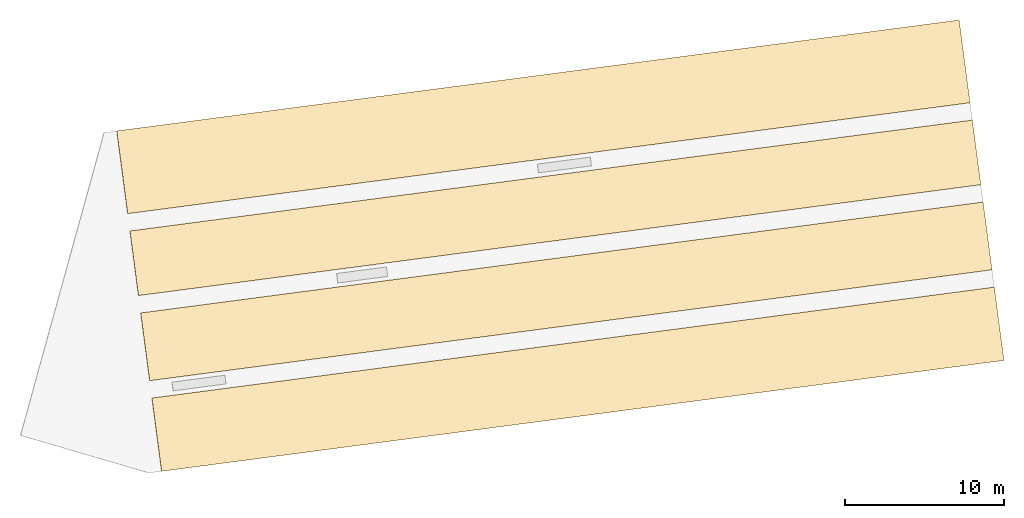
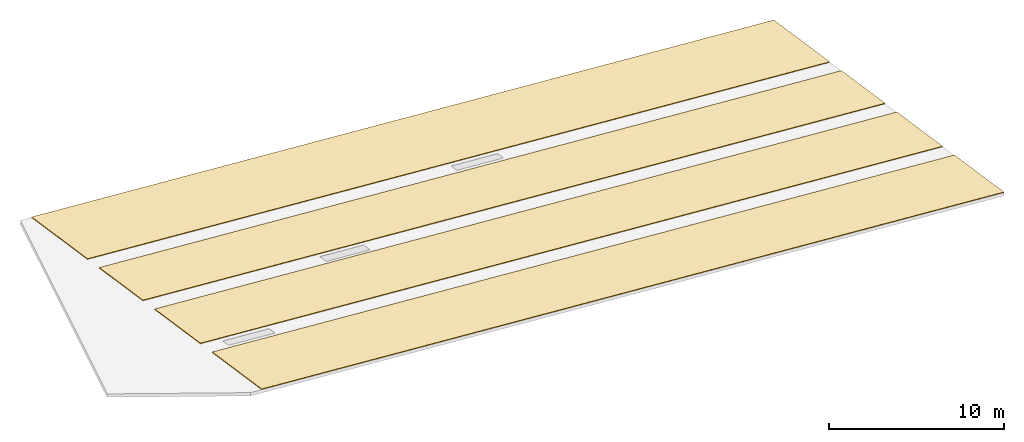
# One storey, part 2 of 2: 4 coverings.
"""IFC4 building model written with IfcOpenShell, lengths in metres."""

from ifc_helpers import new_model, si_unit, direction, frame, origin, place, context, subcontext, project, spatial, polyline, outline, extrude, material, layer, layer_set, type_object, element, save


model = new_model("IFC4")

# Units and contexts
model_context = context("Model", 3, precision=1e-05, world=origin(), true_north=direction((0.0, 1.0)))
body_context = subcontext(model_context, "Body", "Model", "MODEL_VIEW")
ifc_project = project(units=[si_unit("LENGTHUNIT", "METRE"), si_unit("AREAUNIT", "SQUARE_METRE"), si_unit("VOLUMEUNIT", "CUBIC_METRE"), si_unit("PLANEANGLEUNIT", "RADIAN"), si_unit("MASSUNIT", "GRAM", prefix="KILO")], contexts=[model_context])

# Site, building, storey
site_placement = place(None, origin())
site = spatial("IfcSite", under=ifc_project, at=site_placement, CompositionType="ELEMENT")
building_placement = place(site_placement, origin())
building = spatial("IfcBuilding", under=site, at=building_placement, Name="Kestramere Prow Commons", CompositionType="ELEMENT")
storey_placement = place(building_placement, frame((0.0, 0.0, 47.64990234375)))
storey = spatial("IfcBuildingStorey", under=building, at=storey_placement, Name="ROOF", CompositionType="ELEMENT", Elevation=47.64990234375)

# Coverings
ifc_material = material(Name="Fluoropolymer Standing-Seam Zinc-Aluminium Roofing", Category="aluminium")
ifc_layer = layer(ifc_material, 0.044921875)
ifc_layer_set = layer_set([ifc_layer], Name="Fluoropolymer Standing-Seam Zinc-Aluminium Roofing")
covering_type = type_object("IfcCoveringType", Name="COV-ROOF-SEAM", PredefinedType="ROOFING", material=ifc_layer_set)
covering_1_placement = place(storey_placement, frame((11.304443359375, 71.206787109375, 4.39111328125), z_axis=(0.165440265824, 0.021779522391, 0.985979295345), x_axis=(0.977544238567, 0.128695114491, -0.166867699543)))
element("IfcCovering", 1, at=covering_1_placement, inside=storey, type_object=covering_type, Name="Block A Standing-Seam Prow Roofing Strip 1", PredefinedType="ROOFING", context=body_context, shape_type="SweptSolid", body=[
    extrude(outline(polyline([(0.0, 0.0), (54.21000266846195, -2.8129964178315314e-16), (54.21002795288076, 4.650130096720861), (2.5284418811777343e-05, 4.650130096720862), (0.0, 0.0)])), origin(), (0.0, 0.0, -1.0), 0.044921875),
])
covering_2_placement = place(storey_placement, frame((10.553955078125, 76.90771484375, 4.39111328125), z_axis=(0.165440020146, 0.021781388519, 0.985979295345), x_axis=(0.977544238567, 0.128695114491, -0.166867699543)))
element("IfcCovering", 2, at=covering_2_placement, inside=storey, type_object=covering_type, Name="Block A Standing-Seam Prow Roofing Strip 2", PredefinedType="ROOFING", context=body_context, shape_type="SweptSolid", body=[
    extrude(outline(polyline([(0.0, 0.0), (54.21000266846195, -3.399482030510409e-16), (54.20997822627069, 4.299973116488315), (-2.444219125863345e-05, 4.299973116488316), (0.0, 0.0)])), origin(), (0.0, 0.0, -1.0), 0.044921875),
])
covering_3_placement = place(storey_placement, frame((9.84912109375, 82.261474609375, 4.39111328125), z_axis=(0.165440141352, 0.021780467858, 0.985979295345), x_axis=(0.977544238567, 0.128695114491, -0.166867699543)))
element("IfcCovering", 3, at=covering_3_placement, inside=storey, type_object=covering_type, Name="Block A Standing-Seam Prow Roofing Strip 3", PredefinedType="ROOFING", context=body_context, shape_type="SweptSolid", body=[
    extrude(outline(polyline([(0.0, 0.0), (54.21000266846195, 8.869857973103912e-16), (54.21000185921981, 4.100017176568794), (-8.092421397432048e-07, 4.100017176568792), (0.0, 0.0)])), origin(), (0.0, 0.0, -1.0), 0.044921875),
])
covering_4_placement = place(storey_placement, frame((9.17041015625, 87.4169921875, 4.39111328125), z_axis=(0.165439953782, 0.021781892602, 0.985979295344), x_axis=(0.977544238567, 0.128695114491, -0.166867699543)))
element("IfcCovering", 4, at=covering_4_placement, inside=storey, type_object=covering_type, Name="Block A Standing-Seam Prow Roofing Strip 4", PredefinedType="ROOFING", context=body_context, shape_type="SweptSolid", body=[
    extrude(outline(polyline([(0.0, 0.0), (54.21000266846195, 3.894657491475273e-16), (54.2099570540334, 5.249997916477177), (-4.561442854511544e-05, 5.249997916477177), (0.0, 0.0)])), origin(), (0.0, 0.0, -1.0), 0.044921875),
])

save(model, "model.ifc")
